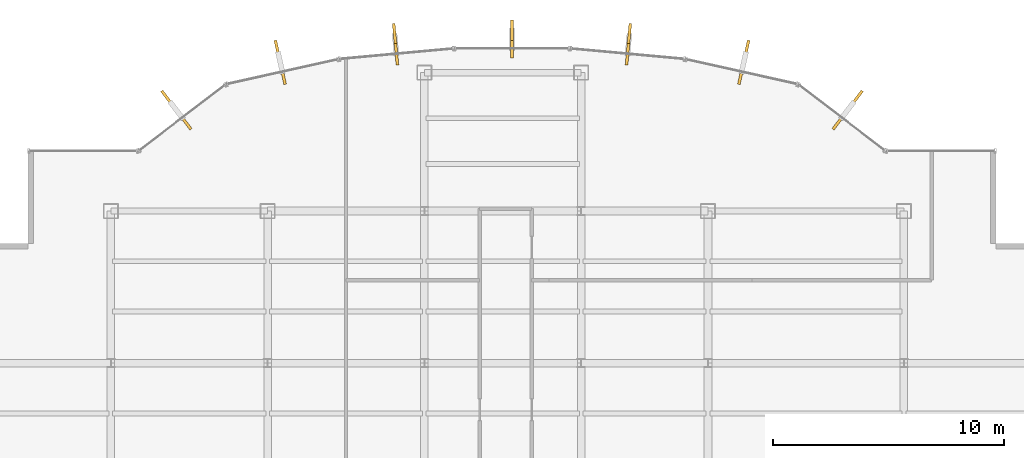
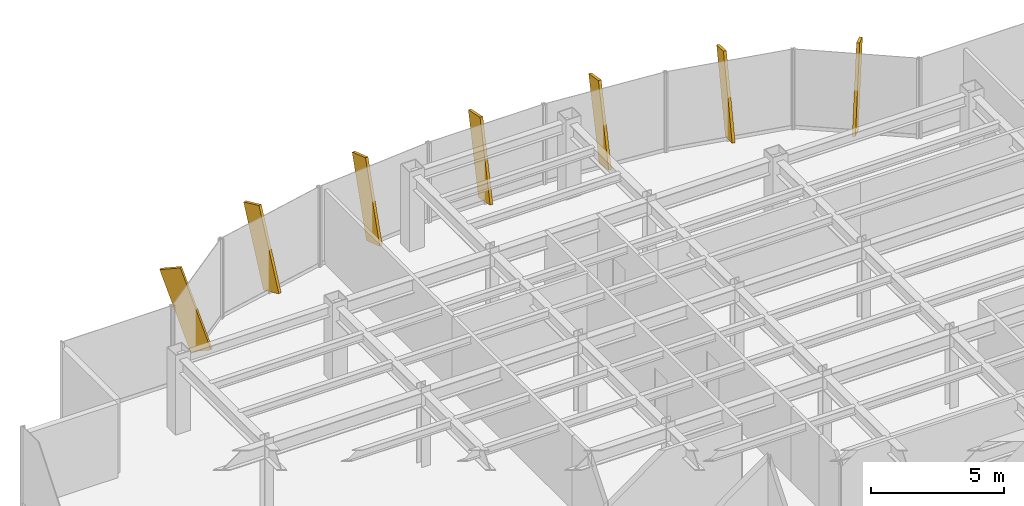
# One storey, part 24 of 25: 7 shading devices.
"""IFC4 building model written with IfcOpenShell, lengths in metres."""

from ifc_helpers import new_model, si_unit, derived_unit, direction, frame, origin, origin_2d, place, context, subcontext, project, spatial, rectangle, extrude, source, transform, mapped, material, type_object, element, save


model = new_model("IFC4")

# Units and contexts
model_context = context("Model", 3, precision=1e-05, world=origin(), true_north=direction((0.0, 1.0)))
body_context = subcontext(model_context, "Body", "Model", "MODEL_VIEW")
ifc_project = project(units=[si_unit("LENGTHUNIT", "METRE"), si_unit("AREAUNIT", "SQUARE_METRE"), si_unit("VOLUMEUNIT", "CUBIC_METRE"), si_unit("PLANEANGLEUNIT", "RADIAN"), si_unit("MASSUNIT", "GRAM", prefix="KILO"), derived_unit("THERMALTRANSMITTANCEUNIT", [(si_unit("POWERUNIT", "WATT"), 1), (si_unit("LENGTHUNIT", "METRE"), -2), (si_unit("THERMODYNAMICTEMPERATUREUNIT", "KELVIN"), -1)])], contexts=[model_context])

# Site, building, storey
site_placement = place(None, origin())
site = spatial("IfcSite", under=ifc_project, at=site_placement, CompositionType="ELEMENT")
building_placement = place(site_placement, origin())
building = spatial("IfcBuilding", under=site, at=building_placement, Name="Skarnbrae Concourse Arena and Tower", CompositionType="ELEMENT")
storey_placement = place(building_placement, frame((0.0, 0.0, 147.89990234375)))
storey = spatial("IfcBuildingStorey", under=building, at=storey_placement, Name="L37", CompositionType="ELEMENT", Elevation=147.89990234375)

# Shading devices
ifc_material = material(Name="Bronze anodised aluminium 6063-T6", Category="aluminium")
shading_device_type = type_object("IfcShadingDeviceType", Name="SHD-BRONZE-FIN-900", PredefinedType="USERDEFINED", material=ifc_material)
shared_shape = source(origin(), body_context, "Body", "SweptSolid", [
    extrude(rectangle(XDim=0.1201171875, YDim=0.89990234375, at=origin_2d()), origin(), (0.0, 0.0, 1.0), 3.64990234375),
])
for number, where, z_axis, x_axis, name in (
    (1, (39.1806640625, 38.283935546875, 0.1103515625), (0.207592334187, 0.27202097743, 0.939632912698), (0.794954941871, -0.606668476513, 0.0), "L37 Outward-leaning bronze shading fin 08"),
    (2, (34.932373046875, 40.311767578125, 0.08544921875), (0.065861638871, 0.294768862168, 0.953296156722), (0.975935794812, -0.218058075762, 0.0), "L37 Outward-leaning bronze shading fin 09"),
    (3, (30.007568359375, 41.169921875, 0.060791015625), (0.023349156509, 0.25454584605, 0.966778790184), (0.99581928833, -0.091345196863, 0.0), "L37 Outward-leaning bronze shading fin 10"),
    (4, (25.0, 41.486083984375, 0.0400390625), (0.0, 0.207911690818, 0.978147600734), (1.0, 0.0, 0.0), "L37 Outward-leaning bronze shading fin 11"),
    (5, (19.992431640625, 41.169921875, 0.060791015625), (-0.023349156509, 0.25454584605, 0.966778790184), (0.99581928833, 0.091345196863, 0.0), "L37 Outward-leaning bronze shading fin 12"),
    (6, (15.067626953125, 40.311767578125, 0.08544921875), (-0.065861638871, 0.294768862168, 0.953296156722), (0.975935794812, 0.218058075762, 0.0), "L37 Outward-leaning bronze shading fin 13"),
    (7, (10.8193359375, 38.283935546875, 0.1103515625), (-0.207592334187, 0.27202097743, 0.939632912698), (0.794954941871, 0.606668476513, 0.0), "L37 Outward-leaning bronze shading fin 14"),
):
    element("IfcShadingDevice", number, at=place(storey_placement, frame(where, z_axis=z_axis, x_axis=x_axis)), inside=storey, type_object=shading_device_type, Name=name, ObjectType="FIN", PredefinedType="USERDEFINED", context=body_context, shape_type="MappedRepresentation", body=[
        mapped(shared_shape, transform((0.0, 0.0, 0.0))),
    ])

save(model, "model.ifc")
